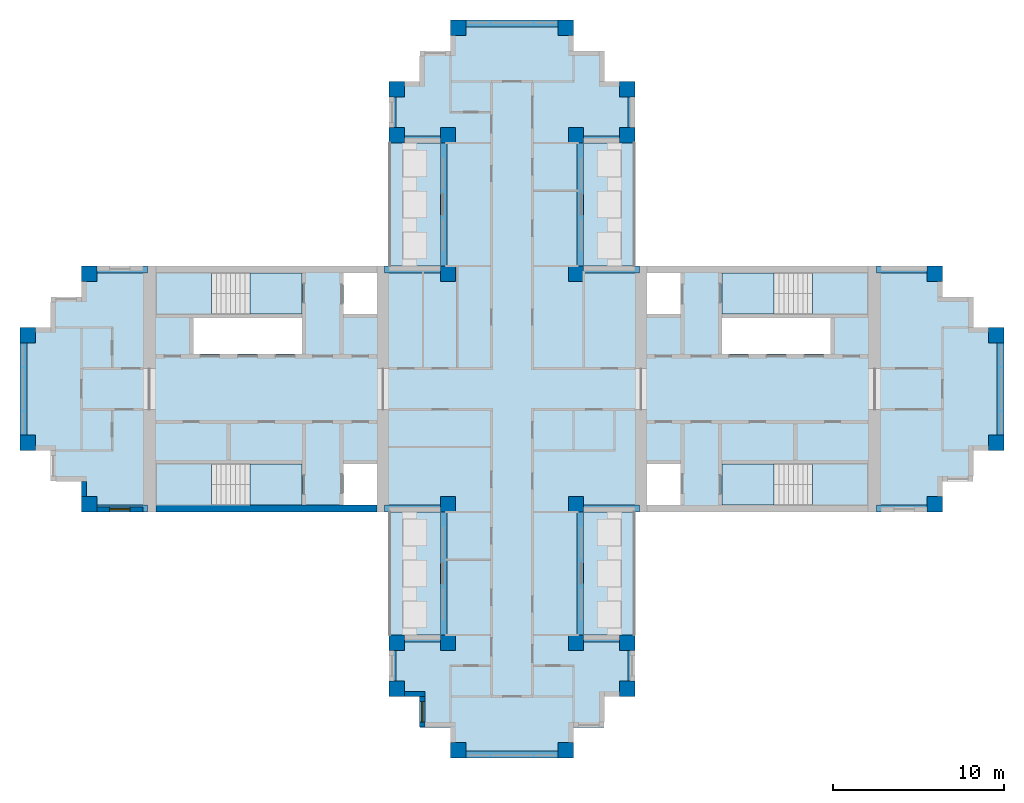
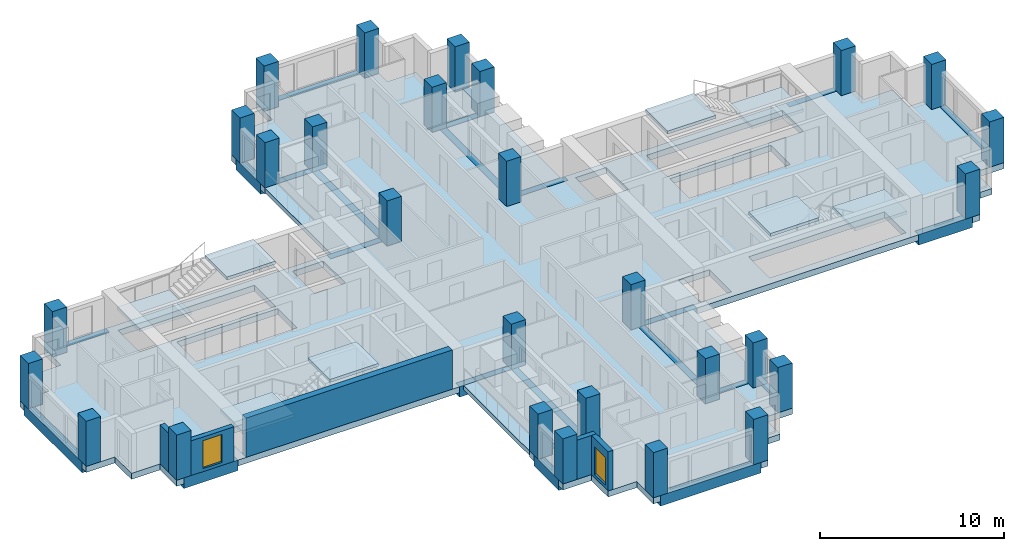
# One storey, part 1 of 10: 28 columns, 24 beams, 13 slabs, 5 walls, 2 windows, 2 openings, 4 elements without a shape of their own.
"""IFC4 building model written with IfcOpenShell, lengths in metres."""

from ifc_helpers import new_model, si_unit, direction, frame, frame_2d, origin, origin_2d, place, context, subcontext, project, spatial, polyline, rectangle, outline, extrude, material, layer, layer_set, material_profile, profile_set, type_object, element, fill, aggregate, save


model = new_model("IFC4")

# Units and contexts
model_context = context("Model", 3, precision=1e-05, world=origin(), true_north=direction((0.0, 1.0)))
body_context = subcontext(model_context, "Body", "Model", "MODEL_VIEW")
ifc_project = project(units=[si_unit("LENGTHUNIT", "METRE"), si_unit("AREAUNIT", "SQUARE_METRE"), si_unit("VOLUMEUNIT", "CUBIC_METRE"), si_unit("PLANEANGLEUNIT", "RADIAN"), si_unit("MASSUNIT", "GRAM", prefix="KILO")], contexts=[model_context])

# Site, building, storey
site_placement = place(None, origin())
site = spatial("IfcSite", under=ifc_project, at=site_placement, CompositionType="ELEMENT")
building_placement = place(site_placement, origin())
building = spatial("IfcBuilding", under=site, at=building_placement, Name="Fustian Cross Tower", CompositionType="ELEMENT")
storey_placement = place(building_placement, frame((0.0, 0.0, 201.89990234375)))
storey = spatial("IfcBuildingStorey", under=building, at=storey_placement, Name="L63", CompositionType="ELEMENT", Elevation=201.89990234375)

# Columns
ifc_material_1 = material(Name="Concrete C40/50", Category="concrete")
ifc_material_profile_1 = material_profile(ifc_material_1, rectangle(XDim=0.89990234375, YDim=0.89990234375, at=origin_2d()), Name="RC 900x900")
ifc_profile_set_1 = profile_set([ifc_material_profile_1], Name="Concrete C40/50")
column_type = type_object("IfcColumnType", Name="COLUMN RC 900x900 C40/50", PredefinedType="COLUMN", material=ifc_profile_set_1)
for number, where, z_axis, x_axis, name in (
    (1, (-28.35009765625, -3.14990234375, 0.0), (0.0, 0.0, 1.0), (1.0, 0.0, 0.0), "COLUMN 008"),
    (2, (-28.35009765625, 3.14990234375, 0.0), (0.0, 0.0, 1.0), (1.0, 0.0, 0.0), "COLUMN 009"),
    (3, (-24.75, -6.75, 0.0), (0.0, 0.0, 1.0), (1.0, 0.0, 0.0), "COLUMN 011"),
    (4, (-24.75, 6.75, 0.0), (0.0, 0.0, 1.0), (1.0, 0.0, 0.0), "COLUMN 012"),
    (5, (-6.75, -17.550048828125, 0.0), (0.0, 0.0, 1.0), (1.0, 0.0, 0.0), "COLUMN 017"),
    (6, (-6.75, -14.85009765625, 0.0), (0.0, 0.0, 1.0), (1.0, 0.0, 0.0), "COLUMN 018"),
    (7, (-6.75, 14.85009765625, 0.0), (0.0, 0.0, 1.0), (1.0, 0.0, 0.0), "COLUMN 019"),
    (8, (-6.75, 17.550048828125, 0.0), (0.0, 0.0, 1.0), (1.0, 0.0, 0.0), "COLUMN 020"),
    (9, (-3.75, -14.85009765625, 0.0), (0.0, 0.0, 1.0), (1.0, 0.0, 0.0), "COLUMN 025"),
    (10, (-3.75, -6.75, 0.0), (0.0, 0.0, 1.0), (1.0, 0.0, 0.0), "COLUMN 026"),
    (11, (-3.75, 6.75, 0.0), (0.0, 0.0, 1.0), (1.0, 0.0, 0.0), "COLUMN 027"),
    (12, (-3.75, 14.85009765625, 0.0), (0.0, 0.0, 1.0), (1.0, 0.0, 0.0), "COLUMN 028"),
    (13, (-3.14990234375, -21.14990234375, 0.0), (0.0, 0.0, 1.0), (1.0, 0.0, 0.0), "COLUMN 030"),
    (14, (-3.14990234375, 21.14990234375, 0.0), (0.0, 0.0, 1.0), (1.0, 0.0, 0.0), "COLUMN 031"),
    (15, (3.14990234375, -21.14990234375, 0.0), (0.0, 0.0, 1.0), (1.0, 0.0, 0.0), "COLUMN 034"),
    (16, (3.14990234375, 21.14990234375, 0.0), (0.0, 0.0, 1.0), (1.0, 0.0, 0.0), "COLUMN 035"),
    (17, (3.75, -14.85009765625, 0.0), (0.0, 0.0, 1.0), (1.0, 0.0, 0.0), "COLUMN 037"),
    (18, (3.75, -6.75, 0.0), (0.0, 0.0, 1.0), (1.0, 0.0, 0.0), "COLUMN 038"),
    (19, (3.75, 6.75, 0.0), (0.0, 0.0, 1.0), (1.0, 0.0, 0.0), "COLUMN 039"),
    (20, (3.75, 14.85009765625, 0.0), (0.0, 0.0, 1.0), (1.0, 0.0, 0.0), "COLUMN 040"),
    (21, (6.75, -17.550048828125, 0.0), (0.0, 0.0, 1.0), (1.0, 0.0, 0.0), "COLUMN 045"),
    (22, (6.75, -14.85009765625, 0.0), (0.0, 0.0, 1.0), (1.0, 0.0, 0.0), "COLUMN 046"),
    (23, (6.75, 14.85009765625, 0.0), (0.0, 0.0, 1.0), (1.0, 0.0, 0.0), "COLUMN 047"),
    (24, (6.75, 17.550048828125, 0.0), (0.0, 0.0, 1.0), (1.0, 0.0, 0.0), "COLUMN 048"),
    (25, (24.75, -6.75, 0.0), (0.0, 0.0, 1.0), (1.0, 0.0, 0.0), "COLUMN 053"),
    (26, (24.75, 6.75, 0.0), (0.0, 0.0, 1.0), (1.0, 0.0, 0.0), "COLUMN 054"),
    (27, (28.35009765625, -3.14990234375, 0.0), (0.0, 0.0, 1.0), (1.0, 0.0, 0.0), "COLUMN 056"),
    (28, (28.35009765625, 3.14990234375, 0.0), (0.0, 0.0, 1.0), (1.0, 0.0, 0.0), "COLUMN 057"),
):
    element("IfcColumn", number, at=place(storey_placement, frame(where, z_axis=z_axis, x_axis=x_axis)), inside=storey, type_object=column_type, Name=name, PredefinedType="COLUMN", context=body_context, shape_type="SweptSolid", body=[
        extrude(rectangle(XDim=0.89990234375, YDim=0.89990234375, at=origin_2d()), origin(), (0.0, 0.0, 1.0), 3.0),
    ])

# Beams
ifc_material_2 = material(Name="Concrete C50/60", Category="concrete")
ifc_material_profile_2 = material_profile(ifc_material_2, rectangle(XDim=0.39990234375, YDim=0.699951171875, at=origin_2d()), Name="RC 400x700")
ifc_profile_set_2 = profile_set([ifc_material_profile_2], Name="Concrete C50/60")
beam_type = type_object("IfcBeamType", Name="EDGE BEAM RC 400x700 C50/60", PredefinedType="SPANDREL", material=ifc_profile_set_2)
beam_1_placement = place(storey_placement, frame((21.35009765625, -7.0, -0.349853515625), z_axis=(1.0, 0.0, 0.0), x_axis=(0.0, 1.0, 0.0)))
element("IfcBeam", 29, at=beam_1_placement, inside=storey, type_object=beam_type, Name="EDGE BEAM L63-01", PredefinedType="SPANDREL", context=body_context, shape_type="SweptSolid", body=[
    extrude(rectangle(XDim=0.39990234375, YDim=0.699951171875, at=origin_2d()), origin(), (0.0, 0.0, 1.0), 3.39990234375),
])
beam_2_placement = place(storey_placement, frame((28.60009765625, -3.14990234375, -0.349853515625), z_axis=(0.0, 1.0, 0.0), x_axis=(-1.0, 0.0, 0.0)))
element("IfcBeam", 30, at=beam_2_placement, inside=storey, type_object=beam_type, Name="EDGE BEAM L63-02", PredefinedType="SPANDREL", context=body_context, shape_type="SweptSolid", body=[
    extrude(rectangle(XDim=0.39990234375, YDim=0.699951171875, at=origin_2d()), origin(), (0.0, 0.0, 1.0), 6.2998046875),
])
beam_3_placement = place(storey_placement, frame((24.75, 7.0, -0.349853515625), z_axis=(-1.0, 0.0, 0.0), x_axis=(0.0, -1.0, 0.0)))
element("IfcBeam", 31, at=beam_3_placement, inside=storey, type_object=beam_type, Name="EDGE BEAM L63-03", PredefinedType="SPANDREL", context=body_context, shape_type="SweptSolid", body=[
    extrude(rectangle(XDim=0.39990234375, YDim=0.699951171875, at=origin_2d()), origin(), (0.0, 0.0, 1.0), 3.39990234375),
])
beam_4_placement = place(storey_placement, frame((7.449951171875, 7.0, -0.349853515625), z_axis=(-1.0, 0.0, 0.0), x_axis=(0.0, -1.0, 0.0)))
element("IfcBeam", 32, at=beam_4_placement, inside=storey, type_object=beam_type, Name="EDGE BEAM L63-04", PredefinedType="SPANDREL", context=body_context, shape_type="SweptSolid", body=[
    extrude(rectangle(XDim=0.39990234375, YDim=0.699951171875, at=origin_2d()), origin(), (0.0, 0.0, 1.0), 3.699951171875),
])
beam_5_placement = place(storey_placement, frame((4.0, 6.75, -0.349853515625), z_axis=(0.0, 1.0, 0.0), x_axis=(-1.0, 0.0, 0.0)))
element("IfcBeam", 33, at=beam_5_placement, inside=storey, type_object=beam_type, Name="EDGE BEAM L63-05", PredefinedType="SPANDREL", context=body_context, shape_type="SweptSolid", body=[
    extrude(rectangle(XDim=0.39990234375, YDim=0.699951171875, at=origin_2d()), origin(), (0.0, 0.0, 1.0), 8.10009765625),
])
beam_6_placement = place(storey_placement, frame((3.75, 14.60009765625, -0.349853515625), z_axis=(1.0, 0.0, 0.0), x_axis=(0.0, 1.0, 0.0)))
element("IfcBeam", 34, at=beam_6_placement, inside=storey, type_object=beam_type, Name="EDGE BEAM L63-06", PredefinedType="SPANDREL", context=body_context, shape_type="SweptSolid", body=[
    extrude(rectangle(XDim=0.39990234375, YDim=0.699951171875, at=origin_2d()), origin(), (0.0, 0.0, 1.0), 3.0),
])
beam_7_placement = place(storey_placement, frame((7.0, 14.85009765625, -0.349853515625), z_axis=(0.0, 1.0, 0.0), x_axis=(-1.0, 0.0, 0.0)))
element("IfcBeam", 35, at=beam_7_placement, inside=storey, type_object=beam_type, Name="EDGE BEAM L63-07", PredefinedType="SPANDREL", context=body_context, shape_type="SweptSolid", body=[
    extrude(rectangle(XDim=0.39990234375, YDim=0.699951171875, at=origin_2d()), origin(), (0.0, 0.0, 1.0), 2.699951171875),
])
beam_8_placement = place(storey_placement, frame((3.14990234375, 21.39990234375, -0.349853515625), z_axis=(-1.0, 0.0, 0.0), x_axis=(0.0, -1.0, 0.0)))
element("IfcBeam", 36, at=beam_8_placement, inside=storey, type_object=beam_type, Name="EDGE BEAM L63-08", PredefinedType="SPANDREL", context=body_context, shape_type="SweptSolid", body=[
    extrude(rectangle(XDim=0.39990234375, YDim=0.699951171875, at=origin_2d()), origin(), (0.0, 0.0, 1.0), 6.2998046875),
])
beam_9_placement = place(storey_placement, frame((-7.0, 17.550048828125, -0.349853515625), z_axis=(0.0, -1.0, 0.0), x_axis=(1.0, 0.0, 0.0)))
element("IfcBeam", 37, at=beam_9_placement, inside=storey, type_object=beam_type, Name="EDGE BEAM L63-09", PredefinedType="SPANDREL", context=body_context, shape_type="SweptSolid", body=[
    extrude(rectangle(XDim=0.39990234375, YDim=0.699951171875, at=origin_2d()), origin(), (0.0, 0.0, 1.0), 2.699951171875),
])
beam_10_placement = place(storey_placement, frame((-6.75, 14.60009765625, -0.349853515625), z_axis=(1.0, 0.0, 0.0), x_axis=(0.0, 1.0, 0.0)))
element("IfcBeam", 38, at=beam_10_placement, inside=storey, type_object=beam_type, Name="EDGE BEAM L63-10", PredefinedType="SPANDREL", context=body_context, shape_type="SweptSolid", body=[
    extrude(rectangle(XDim=0.39990234375, YDim=0.699951171875, at=origin_2d()), origin(), (0.0, 0.0, 1.0), 3.0),
])
beam_11_placement = place(storey_placement, frame((-4.0, 14.85009765625, -0.349853515625), z_axis=(0.0, -1.0, 0.0), x_axis=(1.0, 0.0, 0.0)))
element("IfcBeam", 39, at=beam_11_placement, inside=storey, type_object=beam_type, Name="EDGE BEAM L63-11", PredefinedType="SPANDREL", context=body_context, shape_type="SweptSolid", body=[
    extrude(rectangle(XDim=0.39990234375, YDim=0.699951171875, at=origin_2d()), origin(), (0.0, 0.0, 1.0), 8.10009765625),
])
beam_12_placement = place(storey_placement, frame((-3.75, 7.0, -0.349853515625), z_axis=(-1.0, 0.0, 0.0), x_axis=(0.0, -1.0, 0.0)))
element("IfcBeam", 40, at=beam_12_placement, inside=storey, type_object=beam_type, Name="EDGE BEAM L63-12", PredefinedType="SPANDREL", context=body_context, shape_type="SweptSolid", body=[
    extrude(rectangle(XDim=0.39990234375, YDim=0.699951171875, at=origin_2d()), origin(), (0.0, 0.0, 1.0), 3.699951171875),
])
beam_13_placement = place(storey_placement, frame((-21.35009765625, 7.0, -0.349853515625), z_axis=(-1.0, 0.0, 0.0), x_axis=(0.0, -1.0, 0.0)))
element("IfcBeam", 41, at=beam_13_placement, inside=storey, type_object=beam_type, Name="EDGE BEAM L63-13", PredefinedType="SPANDREL", context=body_context, shape_type="SweptSolid", body=[
    extrude(rectangle(XDim=0.39990234375, YDim=0.699951171875, at=origin_2d()), origin(), (0.0, 0.0, 1.0), 3.39990234375),
])
beam_14_placement = place(storey_placement, frame((-28.60009765625, 3.14990234375, -0.349853515625), z_axis=(0.0, -1.0, 0.0), x_axis=(1.0, 0.0, 0.0)))
element("IfcBeam", 42, at=beam_14_placement, inside=storey, type_object=beam_type, Name="EDGE BEAM L63-14", PredefinedType="SPANDREL", context=body_context, shape_type="SweptSolid", body=[
    extrude(rectangle(XDim=0.39990234375, YDim=0.699951171875, at=origin_2d()), origin(), (0.0, 0.0, 1.0), 6.2998046875),
])
beam_15_placement = place(storey_placement, frame((-24.75, -7.0, -0.349853515625), z_axis=(1.0, 0.0, 0.0), x_axis=(0.0, 1.0, 0.0)))
element("IfcBeam", 43, at=beam_15_placement, inside=storey, type_object=beam_type, Name="EDGE BEAM L63-15", PredefinedType="SPANDREL", context=body_context, shape_type="SweptSolid", body=[
    extrude(rectangle(XDim=0.39990234375, YDim=0.699951171875, at=origin_2d()), origin(), (0.0, 0.0, 1.0), 3.39990234375),
])
beam_16_placement = place(storey_placement, frame((-7.449951171875, -7.0, -0.349853515625), z_axis=(1.0, 0.0, 0.0), x_axis=(0.0, 1.0, 0.0)))
element("IfcBeam", 44, at=beam_16_placement, inside=storey, type_object=beam_type, Name="EDGE BEAM L63-16", PredefinedType="SPANDREL", context=body_context, shape_type="SweptSolid", body=[
    extrude(rectangle(XDim=0.39990234375, YDim=0.699951171875, at=origin_2d()), origin(), (0.0, 0.0, 1.0), 3.699951171875),
])
beam_17_placement = place(storey_placement, frame((-4.0, -6.75, -0.349853515625), z_axis=(0.0, -1.0, 0.0), x_axis=(1.0, 0.0, 0.0)))
element("IfcBeam", 45, at=beam_17_placement, inside=storey, type_object=beam_type, Name="EDGE BEAM L63-17", PredefinedType="SPANDREL", context=body_context, shape_type="SweptSolid", body=[
    extrude(rectangle(XDim=0.39990234375, YDim=0.699951171875, at=origin_2d()), origin(), (0.0, 0.0, 1.0), 8.10009765625),
])
beam_18_placement = place(storey_placement, frame((-3.75, -14.60009765625, -0.349853515625), z_axis=(-1.0, 0.0, 0.0), x_axis=(0.0, -1.0, 0.0)))
element("IfcBeam", 46, at=beam_18_placement, inside=storey, type_object=beam_type, Name="EDGE BEAM L63-18", PredefinedType="SPANDREL", context=body_context, shape_type="SweptSolid", body=[
    extrude(rectangle(XDim=0.39990234375, YDim=0.699951171875, at=origin_2d()), origin(), (0.0, 0.0, 1.0), 3.0),
])
beam_19_placement = place(storey_placement, frame((-7.0, -14.85009765625, -0.349853515625), z_axis=(0.0, -1.0, 0.0), x_axis=(1.0, 0.0, 0.0)))
element("IfcBeam", 47, at=beam_19_placement, inside=storey, type_object=beam_type, Name="EDGE BEAM L63-19", PredefinedType="SPANDREL", context=body_context, shape_type="SweptSolid", body=[
    extrude(rectangle(XDim=0.39990234375, YDim=0.699951171875, at=origin_2d()), origin(), (0.0, 0.0, 1.0), 2.699951171875),
])
beam_20_placement = place(storey_placement, frame((-3.14990234375, -21.39990234375, -0.349853515625), z_axis=(1.0, 0.0, 0.0), x_axis=(0.0, 1.0, 0.0)))
element("IfcBeam", 48, at=beam_20_placement, inside=storey, type_object=beam_type, Name="EDGE BEAM L63-20", PredefinedType="SPANDREL", context=body_context, shape_type="SweptSolid", body=[
    extrude(rectangle(XDim=0.39990234375, YDim=0.699951171875, at=origin_2d()), origin(), (0.0, 0.0, 1.0), 6.2998046875),
])
beam_21_placement = place(storey_placement, frame((7.0, -17.550048828125, -0.349853515625), z_axis=(0.0, 1.0, 0.0), x_axis=(-1.0, 0.0, 0.0)))
element("IfcBeam", 49, at=beam_21_placement, inside=storey, type_object=beam_type, Name="EDGE BEAM L63-21", PredefinedType="SPANDREL", context=body_context, shape_type="SweptSolid", body=[
    extrude(rectangle(XDim=0.39990234375, YDim=0.699951171875, at=origin_2d()), origin(), (0.0, 0.0, 1.0), 2.699951171875),
])
beam_22_placement = place(storey_placement, frame((6.75, -14.60009765625, -0.349853515625), z_axis=(-1.0, 0.0, 0.0), x_axis=(0.0, -1.0, 0.0)))
element("IfcBeam", 50, at=beam_22_placement, inside=storey, type_object=beam_type, Name="EDGE BEAM L63-22", PredefinedType="SPANDREL", context=body_context, shape_type="SweptSolid", body=[
    extrude(rectangle(XDim=0.39990234375, YDim=0.699951171875, at=origin_2d()), origin(), (0.0, 0.0, 1.0), 3.0),
])
beam_23_placement = place(storey_placement, frame((4.0, -14.85009765625, -0.349853515625), z_axis=(0.0, 1.0, 0.0), x_axis=(-1.0, 0.0, 0.0)))
element("IfcBeam", 51, at=beam_23_placement, inside=storey, type_object=beam_type, Name="EDGE BEAM L63-23", PredefinedType="SPANDREL", context=body_context, shape_type="SweptSolid", body=[
    extrude(rectangle(XDim=0.39990234375, YDim=0.699951171875, at=origin_2d()), origin(), (0.0, 0.0, 1.0), 8.10009765625),
])
beam_24_placement = place(storey_placement, frame((3.75, -7.0, -0.349853515625), z_axis=(1.0, 0.0, 0.0), x_axis=(0.0, 1.0, 0.0)))
element("IfcBeam", 52, at=beam_24_placement, inside=storey, type_object=beam_type, Name="EDGE BEAM L63-24", PredefinedType="SPANDREL", context=body_context, shape_type="SweptSolid", body=[
    extrude(rectangle(XDim=0.39990234375, YDim=0.699951171875, at=origin_2d()), origin(), (0.0, 0.0, 1.0), 3.699951171875),
])

# Slabs
ifc_material_3 = material(Name="Concrete C40/50", Category="concrete")
ifc_layer_1 = layer(ifc_material_3, 0.300048828125)
ifc_layer_set_1 = layer_set([ifc_layer_1], Name="Concrete C40/50")
slab_type_1 = type_object("IfcSlabType", Name="BS1 BALCONY SLAB 300", PredefinedType="FLOOR", material=ifc_layer_set_1)
slab_1_placement = place(storey_placement, frame((0.0, 0.0, -0.2998046875)))
element("IfcSlab", 53, at=slab_1_placement, inside=storey, type_object=slab_type_1, Name="Balcony slab", PredefinedType="FLOOR", context=body_context, shape_type="SweptSolid", body=[
    extrude(outline(polyline([(4.199951171875, 7.199951171875), (7.199951171875, 7.199951171875), (7.199951171875, 14.39990234375), (4.199951171875, 14.39990234375), (4.199951171875, 7.199951171875)])), origin(), (0.0, 0.0, 1.0), 0.2998046875),
])
slab_2_placement = place(storey_placement, frame((0.0, 0.0, -0.2998046875)))
element("IfcSlab", 54, at=slab_2_placement, inside=storey, type_object=slab_type_1, Name="Balcony slab", PredefinedType="FLOOR", context=body_context, shape_type="SweptSolid", body=[
    extrude(outline(polyline([(-7.199951171875, 7.199951171875), (-4.199951171875, 7.199951171875), (-4.199951171875, 14.39990234375), (-7.199951171875, 14.39990234375), (-7.199951171875, 7.199951171875)])), origin(), (0.0, 0.0, 1.0), 0.2998046875),
])
slab_3_placement = place(storey_placement, frame((0.0, 0.0, -0.2998046875)))
element("IfcSlab", 55, at=slab_3_placement, inside=storey, type_object=slab_type_1, Name="Balcony slab", PredefinedType="FLOOR", context=body_context, shape_type="SweptSolid", body=[
    extrude(outline(polyline([(4.199951171875, -14.39990234375), (7.199951171875, -14.39990234375), (7.199951171875, -7.199951171875), (4.199951171875, -7.199951171875), (4.199951171875, -14.39990234375)])), origin(), (0.0, 0.0, 1.0), 0.2998046875),
])
slab_4_placement = place(storey_placement, frame((0.0, 0.0, -0.2998046875)))
element("IfcSlab", 56, at=slab_4_placement, inside=storey, type_object=slab_type_1, Name="Balcony slab", PredefinedType="FLOOR", context=body_context, shape_type="SweptSolid", body=[
    extrude(outline(polyline([(-7.199951171875, -14.39990234375), (-4.199951171875, -14.39990234375), (-4.199951171875, -7.199951171875), (-7.199951171875, -7.199951171875), (-7.199951171875, -14.39990234375)])), origin(), (0.0, 0.0, 1.0), 0.2998046875),
])
ifc_material_4 = material(Name="Concrete C40/50", Category="concrete")
ifc_layer_2 = layer(ifc_material_4, 0.39990234375)
ifc_layer_set_2 = layer_set([ifc_layer_2], Name="Concrete C40/50")
slab_type_2 = type_object("IfcSlabType", Name="FLAT SLAB 400", PredefinedType="FLOOR", material=ifc_layer_set_2)
slab_5_placement = place(storey_placement, frame((0.0, 0.0, -0.39990234375)))
element("IfcSlab", 57, at=slab_5_placement, inside=storey, type_object=slab_type_2, Name="FLOOR SLAB L63-1", PredefinedType="FLOOR", context=body_context, shape_type="SweptSolid", body=[
    extrude(outline(polyline([(-3.60009765625, -19.800048828125), (-5.39990234375, -19.800048828125), (-5.39990234375, -18.0), (-7.199951171875, -18.0), (-7.199951171875, -14.39990234375), (-4.199951171875, -14.39990234375), (-4.199951171875, -7.199951171875), (-25.199951171875, -7.199951171875), (-25.199951171875, -5.39990234375), (-27.0, -5.39990234375), (-27.0, -3.60009765625), (-28.800048828125, -3.60009765625), (-28.800048828125, 3.60009765625), (-27.0, 3.60009765625), (-27.0, 5.39990234375), (-25.199951171875, 5.39990234375), (-25.199951171875, 7.199951171875), (-4.199951171875, 7.199951171875), (-4.199951171875, 14.39990234375), (-7.199951171875, 14.39990234375), (-7.199951171875, 18.0), (-5.39990234375, 18.0), (-5.39990234375, 19.800048828125), (-3.60009765625, 19.800048828125), (-3.60009765625, 21.60009765625), (3.60009765625, 21.60009765625), (3.60009765625, 19.800048828125), (5.39990234375, 19.800048828125), (5.39990234375, 18.0), (7.199951171875, 18.0), (7.199951171875, 14.39990234375), (4.199951171875, 14.39990234375), (4.199951171875, 7.199951171875), (25.199951171875, 7.199951171875), (25.199951171875, 5.39990234375), (27.0, 5.39990234375), (27.0, 3.60009765625), (28.800048828125, 3.60009765625), (28.800048828125, -3.60009765625), (27.0, -3.60009765625), (27.0, -5.39990234375), (25.199951171875, -5.39990234375), (25.199951171875, -7.199951171875), (4.199951171875, -7.199951171875), (4.199951171875, -14.39990234375), (7.199951171875, -14.39990234375), (7.199951171875, -18.0), (5.39990234375, -18.0), (5.39990234375, -19.800048828125), (3.60009765625, -19.800048828125), (3.60009765625, -21.60009765625), (-3.60009765625, -21.60009765625), (-3.60009765625, -19.800048828125)]), holes=[polyline([(7.89990234375, 6.800048828125), (7.89990234375, 4.39990234375), (9.85009765625, 4.39990234375), (9.85009765625, 6.800048828125), (7.89990234375, 6.800048828125)]), polyline([(9.85009765625, -4.39990234375), (7.89990234375, -4.39990234375), (7.89990234375, -6.800048828125), (9.85009765625, -6.800048828125), (9.85009765625, -4.39990234375)]), polyline([(-7.89990234375, 4.39990234375), (-7.89990234375, 6.800048828125), (-9.85009765625, 6.800048828125), (-9.85009765625, 4.39990234375), (-7.89990234375, 4.39990234375)]), polyline([(-9.85009765625, -6.800048828125), (-7.89990234375, -6.800048828125), (-7.89990234375, -4.39990234375), (-9.85009765625, -4.39990234375), (-9.85009765625, -6.800048828125)]), polyline([(12.300048828125, 4.14990234375), (12.300048828125, 2.050048828125), (18.64990234375, 2.050048828125), (18.64990234375, 4.14990234375), (12.300048828125, 4.14990234375)]), polyline([(-12.300048828125, 4.14990234375), (-18.64990234375, 4.14990234375), (-18.64990234375, 2.050048828125), (-12.300048828125, 2.050048828125), (-12.300048828125, 4.14990234375)]), polyline([(20.85009765625, 4.39990234375), (20.85009765625, 6.699951171875), (12.300048828125, 6.699951171875), (12.300048828125, 4.39990234375), (20.85009765625, 4.39990234375)]), polyline([(12.300048828125, -6.699951171875), (20.85009765625, -6.699951171875), (20.85009765625, -4.39990234375), (12.300048828125, -4.39990234375), (12.300048828125, -6.699951171875)]), polyline([(-20.85009765625, 6.699951171875), (-20.85009765625, 4.39990234375), (-12.300048828125, 4.39990234375), (-12.300048828125, 6.699951171875), (-20.85009765625, 6.699951171875)]), polyline([(-12.300048828125, -4.39990234375), (-20.85009765625, -4.39990234375), (-20.85009765625, -6.699951171875), (-12.300048828125, -6.699951171875), (-12.300048828125, -4.39990234375)])]), origin(), (0.0, 0.0, 1.0), 0.39990234375),
])

# Stair, slabs
ifc_material_5 = material(Name="Concrete C50/60", Category="concrete")
stair_type = type_object("IfcStairType", Name="STAIR 1200 HALF TURN", PredefinedType="HALF_TURN_STAIR", material=ifc_material_5)
stair_1_placement = place(storey_placement, origin())
stair_1 = element("IfcStair", 58, at=stair_1_placement, inside=storey, type_object=stair_type, Name="Stair ST1", PredefinedType="HALF_TURN_STAIR")
ifc_material_6 = material(Name="Concrete C50/60", Category="concrete")
ifc_layer_3 = layer(ifc_material_6, 0.199951171875)
ifc_layer_set_3 = layer_set([ifc_layer_3], Name="Concrete C50/60")
slab_type_3 = type_object("IfcSlabType", Name="STAIR LANDING", PredefinedType="LANDING", material=ifc_layer_set_3)
slab_6_placement = place(storey_placement, frame((0.0, 0.0, 1.300048828125)))
slab_6 = element("IfcSlab", 59, at=slab_6_placement, type_object=slab_type_3, Name="ST1 landing 1", PredefinedType="LANDING", context=body_context, shape_type="SweptSolid", body=[
    extrude(outline(polyline([(17.590087890625, 4.39990234375), (20.85009765625, 4.39990234375), (20.85009765625, 6.800048828125), (17.590087890625, 6.800048828125), (17.590087890625, 4.39990234375)])), origin(), (0.0, 0.0, 1.0), 0.199951171875),
])
slab_7_placement = place(storey_placement, frame((0.0, 0.0, 2.800048828125)))
slab_7 = element("IfcSlab", 60, at=slab_7_placement, type_object=slab_type_3, Name="ST1 landing 2", PredefinedType="LANDING", context=body_context, shape_type="SweptSolid", body=[
    extrude(outline(polyline([(12.300048828125, 4.39990234375), (15.35009765625, 4.39990234375), (15.35009765625, 6.800048828125), (12.300048828125, 6.800048828125), (12.300048828125, 4.39990234375)])), origin(), (0.0, 0.0, 1.0), 0.199951171875),
])
aggregate(stair_1, [slab_6, slab_7])

stair_2_placement = place(storey_placement, origin())
stair_2 = element("IfcStair", 61, at=stair_2_placement, inside=storey, type_object=stair_type, Name="Stair ST2", PredefinedType="HALF_TURN_STAIR")
slab_8_placement = place(storey_placement, frame((0.0, 0.0, 1.300048828125)))
slab_8 = element("IfcSlab", 62, at=slab_8_placement, type_object=slab_type_3, Name="ST2 landing 1", PredefinedType="LANDING", context=body_context, shape_type="SweptSolid", body=[
    extrude(outline(polyline([(17.590087890625, -4.39990234375), (20.85009765625, -4.39990234375), (20.85009765625, -6.800048828125), (17.590087890625, -6.800048828125), (17.590087890625, -4.39990234375)])), origin(), (0.0, 0.0, 1.0), 0.199951171875),
])
slab_9_placement = place(storey_placement, frame((0.0, 0.0, 2.800048828125)))
slab_9 = element("IfcSlab", 63, at=slab_9_placement, type_object=slab_type_3, Name="ST2 landing 2", PredefinedType="LANDING", context=body_context, shape_type="SweptSolid", body=[
    extrude(outline(polyline([(12.300048828125, -4.39990234375), (15.35009765625, -4.39990234375), (15.35009765625, -6.800048828125), (12.300048828125, -6.800048828125), (12.300048828125, -4.39990234375)])), origin(), (0.0, 0.0, 1.0), 0.199951171875),
])
aggregate(stair_2, [slab_8, slab_9])

stair_3_placement = place(storey_placement, origin())
stair_3 = element("IfcStair", 64, at=stair_3_placement, inside=storey, type_object=stair_type, Name="Stair ST3", PredefinedType="HALF_TURN_STAIR")
slab_10_placement = place(storey_placement, frame((0.0, 0.0, 1.300048828125)))
slab_10 = element("IfcSlab", 65, at=slab_10_placement, type_object=slab_type_3, Name="ST3 landing 1", PredefinedType="LANDING", context=body_context, shape_type="SweptSolid", body=[
    extrude(outline(polyline([(-17.590087890625, 4.39990234375), (-20.85009765625, 4.39990234375), (-20.85009765625, 6.800048828125), (-17.590087890625, 6.800048828125), (-17.590087890625, 4.39990234375)])), origin(), (0.0, 0.0, 1.0), 0.199951171875),
])
slab_11_placement = place(storey_placement, frame((0.0, 0.0, 2.800048828125)))
slab_11 = element("IfcSlab", 66, at=slab_11_placement, type_object=slab_type_3, Name="ST3 landing 2", PredefinedType="LANDING", context=body_context, shape_type="SweptSolid", body=[
    extrude(outline(polyline([(-12.300048828125, 4.39990234375), (-15.35009765625, 4.39990234375), (-15.35009765625, 6.800048828125), (-12.300048828125, 6.800048828125), (-12.300048828125, 4.39990234375)])), origin(), (0.0, 0.0, 1.0), 0.199951171875),
])
aggregate(stair_3, [slab_10, slab_11])

stair_4_placement = place(storey_placement, origin())
stair_4 = element("IfcStair", 67, at=stair_4_placement, inside=storey, type_object=stair_type, Name="Stair ST4", PredefinedType="HALF_TURN_STAIR")
slab_12_placement = place(storey_placement, frame((0.0, 0.0, 1.300048828125)))
slab_12 = element("IfcSlab", 68, at=slab_12_placement, type_object=slab_type_3, Name="ST4 landing 1", PredefinedType="LANDING", context=body_context, shape_type="SweptSolid", body=[
    extrude(outline(polyline([(-17.590087890625, -4.39990234375), (-20.85009765625, -4.39990234375), (-20.85009765625, -6.800048828125), (-17.590087890625, -6.800048828125), (-17.590087890625, -4.39990234375)])), origin(), (0.0, 0.0, 1.0), 0.199951171875),
])
slab_13_placement = place(storey_placement, frame((0.0, 0.0, 2.800048828125)))
slab_13 = element("IfcSlab", 69, at=slab_13_placement, type_object=slab_type_3, Name="ST4 landing 2", PredefinedType="LANDING", context=body_context, shape_type="SweptSolid", body=[
    extrude(outline(polyline([(-12.300048828125, -4.39990234375), (-15.35009765625, -4.39990234375), (-15.35009765625, -6.800048828125), (-12.300048828125, -6.800048828125), (-12.300048828125, -4.39990234375)])), origin(), (0.0, 0.0, 1.0), 0.199951171875),
])
aggregate(stair_4, [slab_12, slab_13])

# Walls
ifc_material_7 = material(Name="Concrete C50/60", Category="concrete")
ifc_layer_4 = layer(ifc_material_7, 0.39990234375)
ifc_layer_set_4 = layer_set([ifc_layer_4], Name="Concrete C50/60")
wall_type_1 = type_object("IfcWallType", Name="CORE FACADE WALL 400 C50/60", PredefinedType="SHEAR", material=ifc_layer_set_4)
wall_1_placement = place(storey_placement, frame((-7.89990234375, -7.0, 0.0), z_axis=(0.0, 0.0, 1.0), x_axis=(-1.0, 0.0, 0.0)))
element("IfcWall", 70, at=wall_1_placement, inside=storey, type_object=wall_type_1, Name="Core facade wall", PredefinedType="SHEAR", context=body_context, shape_type="SweptSolid", body=[
    extrude(rectangle(XDim=12.9501953125, YDim=0.39990234375, at=frame_2d((6.47509765625, 0.0))), origin(), (0.0, 0.0, 1.0), 2.60009765625),
])
ifc_material_8 = material(Name="Dark aluminium cladding on insulated backing wall", Category="aluminium")
ifc_layer_5 = layer(ifc_material_8, 0.300048828125)
ifc_layer_set_5 = layer_set([ifc_layer_5], Name="Dark aluminium cladding on insulated backing wall")
wall_type_2 = type_object("IfcWallType", Name="XW1 EXTERNAL WALL 300", PredefinedType="SOLIDWALL", material=ifc_layer_set_5)
wall_2_placement = place(storey_placement, frame((-25.050048828125, -5.39990234375, 0.0), z_axis=(0.0, 0.0, 1.0), x_axis=(0.0, -1.0, 0.0)))
element("IfcWall", 71, at=wall_2_placement, inside=storey, type_object=wall_type_2, Name="External wall", PredefinedType="SOLIDWALL", context=body_context, shape_type="SweptSolid", body=[
    extrude(rectangle(XDim=0.900146484375, YDim=0.300048828125, at=frame_2d((0.4501953125, 0.0))), origin(), (0.0, 0.0, 1.0), 2.60009765625),
])

# Wall, opening, window
wall_3_placement = place(storey_placement, frame((-24.300048828125, -7.050048828125, 0.0), z_axis=(0.0, 0.0, 1.0), x_axis=(1.0, 0.0, 0.0)))
wall_3 = element("IfcWall", 72, at=wall_3_placement, inside=storey, type_object=wall_type_2, Name="External wall", PredefinedType="SOLIDWALL", context=body_context, shape_type="SweptSolid", body=[
    extrude(rectangle(XDim=2.699951171875, YDim=0.300048828125, at=frame_2d((1.35009765625, 0.0))), origin(), (0.0, 0.0, 1.0), 2.300048828125),
])
opening_1_placement = place(wall_3_placement, frame((0.75, 0.0, 0.199951171875)))
opening_1 = element("IfcOpeningElement", 73, at=opening_1_placement, cuts=wall_3, Name="Opening WN3", PredefinedType="OPENING", context=body_context, shape_type="SweptSolid", body=[
    extrude(rectangle(XDim=1.199951171875, YDim=1.85009765625, at=frame_2d((0.60009765625, 0.925048828125))), frame((0.0, 0.159912109375, 0.0), z_axis=(0.0, -1.0, 0.0), x_axis=(1.0, 0.0, 0.0)), (0.0, 0.0, 1.0), 0.320068359375),
])
ifc_material_9 = material(Name="Dark anodised aluminium and double glazing", Category="aluminium")
window_type = type_object("IfcWindowType", Name="WN3 WINDOW 1200X1850", PartitioningType="SINGLE_PANEL", PredefinedType="WINDOW", material=ifc_material_9)
window_1_placement = place(opening_1_placement, origin())
window_1 = element("IfcWindow", 74, at=window_1_placement, inside=storey, type_object=window_type, Name="Window", OverallHeight=1.85009765625, OverallWidth=1.199951171875, PartitioningType="SINGLE_PANEL", PredefinedType="WINDOW", context=body_context, shape_type="SweptSolid", body=[
    extrude(rectangle(XDim=1.199951171875, YDim=1.85009765625, at=frame_2d((0.60009765625, 0.925048828125))), frame((0.0, 0.030029296875, 0.0), z_axis=(0.0, -1.0, 0.0), x_axis=(1.0, 0.0, 0.0)), (0.0, 0.0, 1.0), 0.06005859375),
])
fill(opening_1, window_1)

# Wall
wall_4_placement = place(storey_placement, frame((-6.300048828125, -17.85009765625, 0.0), z_axis=(0.0, 0.0, 1.0), x_axis=(1.0, 0.0, 0.0)))
element("IfcWall", 75, at=wall_4_placement, inside=storey, type_object=wall_type_2, Name="External wall", PredefinedType="SOLIDWALL", context=body_context, shape_type="SweptSolid", body=[
    extrude(rectangle(XDim=1.199951171875, YDim=0.300048828125, at=frame_2d((0.60009765625, 0.0))), origin(), (0.0, 0.0, 1.0), 2.60009765625),
])

# Wall, opening, window
wall_5_placement = place(storey_placement, frame((-5.25, -18.0, 0.0), z_axis=(0.0, 0.0, 1.0), x_axis=(0.0, -1.0, 0.0)))
wall_5 = element("IfcWall", 76, at=wall_5_placement, inside=storey, type_object=wall_type_2, Name="External wall", PredefinedType="SOLIDWALL", context=body_context, shape_type="SweptSolid", body=[
    extrude(rectangle(XDim=1.800048828125, YDim=0.300048828125, at=frame_2d((0.89990234375, 0.0))), origin(), (0.0, 0.0, 1.0), 2.60009765625),
])
opening_2_placement = place(wall_5_placement, frame((0.300048828125, 0.0, 0.199951171875)))
opening_2 = element("IfcOpeningElement", 77, at=opening_2_placement, cuts=wall_5, Name="Opening WN3", PredefinedType="OPENING", context=body_context, shape_type="SweptSolid", body=[
    extrude(rectangle(XDim=1.199951171875, YDim=1.85009765625, at=frame_2d((0.60009765625, 0.925048828125))), frame((0.0, 0.159912109375, 0.0), z_axis=(0.0, -1.0, 0.0), x_axis=(1.0, 0.0, 0.0)), (0.0, 0.0, 1.0), 0.320068359375),
])
window_2_placement = place(opening_2_placement, origin())
window_2 = element("IfcWindow", 78, at=window_2_placement, inside=storey, type_object=window_type, Name="Window", OverallHeight=1.85009765625, OverallWidth=1.199951171875, PartitioningType="SINGLE_PANEL", PredefinedType="WINDOW", context=body_context, shape_type="SweptSolid", body=[
    extrude(rectangle(XDim=1.199951171875, YDim=1.85009765625, at=frame_2d((0.60009765625, 0.925048828125))), frame((0.0, 0.030029296875, 0.0), z_axis=(0.0, -1.0, 0.0), x_axis=(1.0, 0.0, 0.0)), (0.0, 0.0, 1.0), 0.06005859375),
])
fill(opening_2, window_2)

save(model, "model.ifc")
